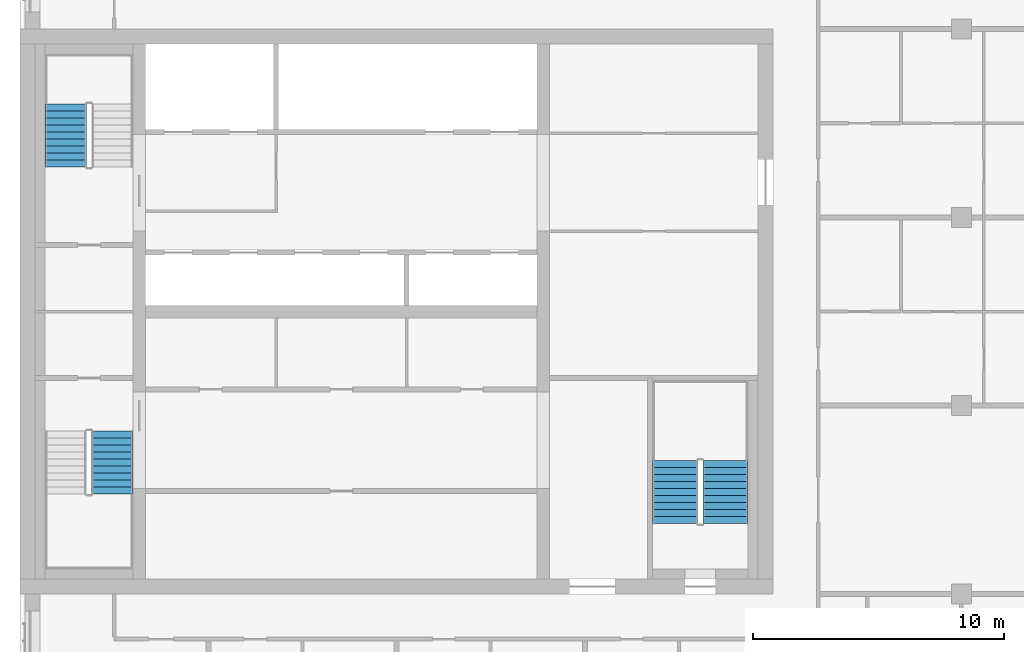
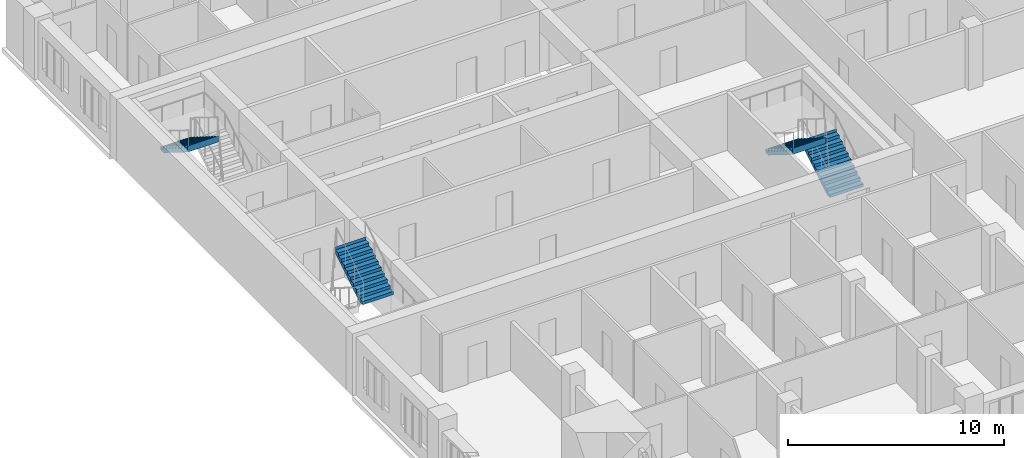
# One storey, part 9 of 11: 4 stair flights, 3 elements without a shape of their own.
"""IFC4 building model written with IfcOpenShell, lengths in metres."""

from ifc_helpers import new_model, si_unit, direction, frame, origin, place, context, subcontext, project, spatial, polyline, outline, extrude, material, type_object, element, aggregate, save


model = new_model("IFC4")

# Units and contexts
model_context = context("Model", 3, precision=1e-05, world=origin(), true_north=direction((0.0, 1.0)))
body_context = subcontext(model_context, "Body", "Model", "MODEL_VIEW")
ifc_project = project(units=[si_unit("LENGTHUNIT", "METRE"), si_unit("AREAUNIT", "SQUARE_METRE"), si_unit("VOLUMEUNIT", "CUBIC_METRE"), si_unit("PLANEANGLEUNIT", "RADIAN"), si_unit("MASSUNIT", "GRAM", prefix="KILO")], contexts=[model_context])

# Site, building, storey
site_placement = place(None, origin())
site = spatial("IfcSite", under=ifc_project, at=site_placement, CompositionType="ELEMENT")
building_placement = place(site_placement, origin())
building = spatial("IfcBuilding", under=site, at=building_placement, Name="Tamorin Gate", CompositionType="ELEMENT")
storey_placement = place(building_placement, frame((0.0, 0.0, 226.699951171875)))
storey = spatial("IfcBuildingStorey", under=building, at=storey_placement, Name="L56", CompositionType="ELEMENT", Elevation=226.699951171875)

# Stair, stair flight
ifc_material = material(Name="Concrete C40/50", Category="concrete")
stair_type = type_object("IfcStairType", Name="Exit stair", PredefinedType="HALF_TURN_STAIR", material=ifc_material)
stair_1_placement = place(storey_placement, origin())
stair_1 = element("IfcStair", 1, at=stair_1_placement, inside=storey, type_object=stair_type, Name="L56 stair ST1", PredefinedType="HALF_TURN_STAIR")
stair_flight_type = type_object("IfcStairFlightType", Name="Exit stair flight", PredefinedType="STRAIGHT", material=ifc_material)
stair_flight_1_placement = place(storey_placement, frame((33.675048828125, 63.97998046875, 1.75), z_axis=(0.0, 0.0, 1.0), x_axis=(0.0, 1.0, 0.0)))
stair_flight_1 = element("IfcStairFlight", 2, at=stair_flight_1_placement, type_object=stair_flight_type, Name="ST1 flight 2", NumberOfRisers=10, NumberOfTreads=9, PredefinedType="STRAIGHT", RiserHeight=0.175, TreadLength=0.28, context=body_context, shape_type="SweptSolid", body=[
    extrude(outline(polyline([(-0.00048828125, 0.0), (-0.00048828125, 0.001708984375), (-0.00048828125, 0.00341796875), (-0.00048828125, 0.005126953125), (-0.00048828125, 0.0068359375), (-0.00048828125, 0.008544921875), (-0.00048828125, 0.010498046875), (-0.00048828125, 0.01220703125), (-0.00048828125, 0.013916015625), (-0.00048828125, 0.015625), (-0.00048828125, 0.017333984375), (-0.00048828125, 0.01904296875), (-0.00048828125, 0.020751953125), (-0.00048828125, 0.0224609375), (-0.00048828125, 0.024169921875), (-0.00048828125, 0.02587890625), (-0.00048828125, 0.02783203125), (-0.00048828125, 0.029541015625), (-0.00048828125, 0.03125), (-0.00048828125, 0.032958984375), (-0.00048828125, 0.03466796875), (-0.00048828125, 0.036376953125), (-0.00048828125, 0.0380859375), (-0.00048828125, 0.039794921875), (-0.00048828125, 0.04150390625), (-0.00048828125, 0.043212890625), (-0.00048828125, 0.045166015625), (-0.00048828125, 0.046875), (-0.00048828125, 0.048583984375), (-0.00048828125, 0.05029296875), (-0.00048828125, 0.052001953125), (-0.00048828125, 0.0537109375), (-0.00048828125, 0.055419921875), (-0.00048828125, 0.05712890625), (-0.00048828125, 0.058837890625), (-0.00048828125, 0.060546875), (-0.00048828125, 0.062255859375), (-0.00048828125, 0.064208984375), (-0.00048828125, 0.06591796875), (-0.00048828125, 0.067626953125), (-0.00048828125, 0.0693359375), (-0.00048828125, 0.071044921875), (-0.00048828125, 0.07275390625), (-0.00048828125, 0.074462890625), (-0.00048828125, 0.076171875), (-0.00048828125, 0.077880859375), (-0.00048828125, 0.07958984375), (-0.00048828125, 0.08154296875), (-0.00048828125, 0.083251953125), (-0.00048828125, 0.0849609375), (-0.00048828125, 0.086669921875), (-0.00048828125, 0.08837890625), (-0.00048828125, 0.090087890625), (-0.00048828125, 0.091796875), (-0.00048828125, 0.093505859375), (-0.00048828125, 0.09521484375), (-0.00048828125, 0.096923828125), (-0.00048828125, 0.098876953125), (-0.00048828125, 0.1005859375), (-0.00048828125, 0.102294921875), (-0.00048828125, 0.10400390625), (-0.00048828125, 0.105712890625), (-0.00048828125, 0.107421875), (-0.00048828125, 0.109130859375), (-0.00048828125, 0.11083984375), (-0.00048828125, 0.112548828125), (-0.00048828125, 0.1142578125), (-0.00048828125, 0.1162109375), (-0.00048828125, 0.117919921875), (-0.00048828125, 0.11962890625), (-0.00048828125, 0.121337890625), (-0.00048828125, 0.123046875), (-0.00048828125, 0.124755859375), (-0.00048828125, 0.12646484375), (-0.00048828125, 0.128173828125), (-0.00048828125, 0.1298828125), (-0.00048828125, 0.131591796875), (-0.00048828125, 0.13330078125), (-0.00048828125, 0.13525390625), (-0.00048828125, 0.136962890625), (-0.00048828125, 0.138671875), (-0.00048828125, 0.140380859375), (-0.00048828125, 0.14208984375), (-0.00048828125, 0.143798828125), (-0.00048828125, 0.1455078125), (-0.00048828125, 0.147216796875), (-0.00048828125, 0.14892578125), (-0.00048828125, 0.150634765625), (-0.00048828125, 0.152587890625), (-0.00048828125, 0.154296875), (-0.00048828125, 0.156005859375), (-0.00048828125, 0.15771484375), (-0.00048828125, 0.159423828125), (-0.00048828125, 0.1611328125), (-0.00048828125, 0.162841796875), (-0.00048828125, 0.16455078125), (-0.00048828125, 0.166259765625), (-0.00048828125, 0.16796875), (-0.00048828125, 0.169921875), (-0.00048828125, 0.171630859375), (-0.00048828125, 0.17333984375), (-0.00048828125, 0.175048828125), (0.280029296875, 0.175048828125), (0.280029296875, 0.35009765625), (0.56005859375, 0.35009765625), (0.56005859375, 0.52490234375), (0.840087890625, 0.52490234375), (0.840087890625, 0.699951171875), (1.1201171875, 0.699951171875), (1.1201171875, 0.875), (1.39990234375, 0.875), (1.39990234375, 1.050048828125), (1.679931640625, 1.050048828125), (1.679931640625, 1.22509765625), (1.9599609375, 1.22509765625), (1.9599609375, 1.39990234375), (2.239990234375, 1.39990234375), (2.239990234375, 1.574951171875), (2.52001953125, 1.574951171875), (2.52001953125, 1.75), (2.5205078125, 1.75), (2.5205078125, 1.74658203125), (2.5205078125, 1.742919921875), (2.5205078125, 1.739501953125), (2.5205078125, 1.736083984375), (2.5205078125, 1.732666015625), (2.5205078125, 1.72900390625), (2.5205078125, 1.7255859375), (2.5205078125, 1.72216796875), (2.5205078125, 1.71875), (2.5205078125, 1.715087890625), (2.5205078125, 1.711669921875), (2.5205078125, 1.708251953125), (2.5205078125, 1.704833984375), (2.5205078125, 1.701171875), (2.5205078125, 1.69775390625), (2.5205078125, 1.6943359375), (2.5205078125, 1.690673828125), (2.5205078125, 1.687255859375), (2.5205078125, 1.683837890625), (2.5205078125, 1.680419921875), (2.5205078125, 1.6767578125), (2.5205078125, 1.67333984375), (2.5205078125, 1.669921875), (2.5205078125, 1.66650390625), (2.5205078125, 1.662841796875), (2.5205078125, 1.659423828125), (2.5205078125, 1.656005859375), (2.5205078125, 1.652587890625), (2.5205078125, 1.64892578125), (2.5205078125, 1.6455078125), (2.5205078125, 1.64208984375), (2.5205078125, 1.638427734375), (2.5205078125, 1.635009765625), (2.5205078125, 1.631591796875), (2.5205078125, 1.628173828125), (2.5205078125, 1.62451171875), (2.5205078125, 1.62109375), (2.5205078125, 1.61767578125), (2.5205078125, 1.6142578125), (2.5205078125, 1.610595703125), (2.5205078125, 1.607177734375), (2.5205078125, 1.603759765625), (2.5205078125, 1.600341796875), (2.5205078125, 1.5966796875), (2.5205078125, 1.59326171875), (2.5205078125, 1.58984375), (2.5205078125, 1.58642578125), (2.5205078125, 1.582763671875), (2.5205078125, 1.579345703125), (2.5205078125, 1.575927734375), (2.5205078125, 1.572265625), (2.5205078125, 1.56884765625), (2.5205078125, 1.5654296875), (2.5205078125, 1.56201171875), (2.5205078125, 1.558349609375), (2.5205078125, 1.554931640625), (2.5205078125, 1.551513671875), (2.5205078125, 1.548095703125), (2.5205078125, 1.54443359375), (2.5205078125, 1.541015625), (2.5205078125, 1.53759765625), (2.5205078125, 1.5341796875), (2.5205078125, 1.530517578125), (2.5205078125, 1.527099609375), (2.5205078125, 1.523681640625), (2.5205078125, 1.52001953125), (2.5205078125, 1.5166015625), (2.5205078125, 1.51318359375), (2.5205078125, 1.509765625), (2.5205078125, 1.506103515625), (2.5205078125, 1.502685546875), (2.5205078125, 1.499267578125), (2.5205078125, 1.495849609375), (2.5205078125, 1.4921875), (2.5205078125, 1.48876953125), (2.5205078125, 1.4853515625), (2.5205078125, 1.48193359375), (2.5205078125, 1.478271484375), (2.5205078125, 1.474853515625), (2.5205078125, 1.471435546875), (2.5205078125, 1.4677734375), (2.5205078125, 1.46435546875), (2.5205078125, 1.4609375), (2.5205078125, 1.45751953125), (2.5205078125, 1.453857421875), (2.5205078125, 1.450439453125), (2.5205078125, 1.447021484375), (2.5205078125, 1.443603515625), (2.5205078125, 1.43994140625), (2.5205078125, 1.4365234375), (2.5205078125, 1.43310546875), (2.5205078125, 1.4296875), (2.5205078125, 1.426025390625), (2.5205078125, 1.422607421875), (2.5205078125, 1.419189453125), (2.5205078125, 1.41552734375), (2.5205078125, 1.412109375), (2.5205078125, 1.40869140625), (2.5205078125, 1.4052734375), (2.5205078125, 1.401611328125), (2.5205078125, 1.398193359375), (2.52001953125, 1.398193359375), (0.28271484375, 0.0), (-0.00048828125, 0.0)])), frame((0.0, 0.824951171875, 0.0), z_axis=(0.0, -1.0, 0.0), x_axis=(1.0, 0.0, 0.0)), (0.0, 0.0, 1.0), 1.64990234375),
])
aggregate(stair_1, [stair_flight_1])

stair_2_placement = place(storey_placement, origin())
stair_2 = element("IfcStair", 3, at=stair_2_placement, inside=storey, type_object=stair_type, Name="L56 stair ST2", PredefinedType="HALF_TURN_STAIR")
stair_flight_2_placement = place(storey_placement, frame((31.824951171875, 79.52001953125, 1.75), z_axis=(0.0, 0.0, 1.0), x_axis=(0.0, -1.0, 0.0)))
stair_flight_2 = element("IfcStairFlight", 4, at=stair_flight_2_placement, type_object=stair_flight_type, Name="ST2 flight 2", NumberOfRisers=10, NumberOfTreads=9, PredefinedType="STRAIGHT", RiserHeight=0.175, TreadLength=0.28, context=body_context, shape_type="SweptSolid", body=[
    extrude(outline(polyline([(-0.00048828125, 0.0), (-0.00048828125, 0.001708984375), (-0.00048828125, 0.00341796875), (-0.00048828125, 0.005126953125), (-0.00048828125, 0.0068359375), (-0.00048828125, 0.008544921875), (-0.00048828125, 0.010498046875), (-0.00048828125, 0.01220703125), (-0.00048828125, 0.013916015625), (-0.00048828125, 0.015625), (-0.00048828125, 0.017333984375), (-0.00048828125, 0.01904296875), (-0.00048828125, 0.020751953125), (-0.00048828125, 0.0224609375), (-0.00048828125, 0.024169921875), (-0.00048828125, 0.02587890625), (-0.00048828125, 0.02783203125), (-0.00048828125, 0.029541015625), (-0.00048828125, 0.03125), (-0.00048828125, 0.032958984375), (-0.00048828125, 0.03466796875), (-0.00048828125, 0.036376953125), (-0.00048828125, 0.0380859375), (-0.00048828125, 0.039794921875), (-0.00048828125, 0.04150390625), (-0.00048828125, 0.043212890625), (-0.00048828125, 0.045166015625), (-0.00048828125, 0.046875), (-0.00048828125, 0.048583984375), (-0.00048828125, 0.05029296875), (-0.00048828125, 0.052001953125), (-0.00048828125, 0.0537109375), (-0.00048828125, 0.055419921875), (-0.00048828125, 0.05712890625), (-0.00048828125, 0.058837890625), (-0.00048828125, 0.060546875), (-0.00048828125, 0.062255859375), (-0.00048828125, 0.064208984375), (-0.00048828125, 0.06591796875), (-0.00048828125, 0.067626953125), (-0.00048828125, 0.0693359375), (-0.00048828125, 0.071044921875), (-0.00048828125, 0.07275390625), (-0.00048828125, 0.074462890625), (-0.00048828125, 0.076171875), (-0.00048828125, 0.077880859375), (-0.00048828125, 0.07958984375), (-0.00048828125, 0.08154296875), (-0.00048828125, 0.083251953125), (-0.00048828125, 0.0849609375), (-0.00048828125, 0.086669921875), (-0.00048828125, 0.08837890625), (-0.00048828125, 0.090087890625), (-0.00048828125, 0.091796875), (-0.00048828125, 0.093505859375), (-0.00048828125, 0.09521484375), (-0.00048828125, 0.096923828125), (-0.00048828125, 0.098876953125), (-0.00048828125, 0.1005859375), (-0.00048828125, 0.102294921875), (-0.00048828125, 0.10400390625), (-0.00048828125, 0.105712890625), (-0.00048828125, 0.107421875), (-0.00048828125, 0.109130859375), (-0.00048828125, 0.11083984375), (-0.00048828125, 0.112548828125), (-0.00048828125, 0.1142578125), (-0.00048828125, 0.1162109375), (-0.00048828125, 0.117919921875), (-0.00048828125, 0.11962890625), (-0.00048828125, 0.121337890625), (-0.00048828125, 0.123046875), (-0.00048828125, 0.124755859375), (-0.00048828125, 0.12646484375), (-0.00048828125, 0.128173828125), (-0.00048828125, 0.1298828125), (-0.00048828125, 0.131591796875), (-0.00048828125, 0.13330078125), (-0.00048828125, 0.13525390625), (-0.00048828125, 0.136962890625), (-0.00048828125, 0.138671875), (-0.00048828125, 0.140380859375), (-0.00048828125, 0.14208984375), (-0.00048828125, 0.143798828125), (-0.00048828125, 0.1455078125), (-0.00048828125, 0.147216796875), (-0.00048828125, 0.14892578125), (-0.00048828125, 0.150634765625), (-0.00048828125, 0.152587890625), (-0.00048828125, 0.154296875), (-0.00048828125, 0.156005859375), (-0.00048828125, 0.15771484375), (-0.00048828125, 0.159423828125), (-0.00048828125, 0.1611328125), (-0.00048828125, 0.162841796875), (-0.00048828125, 0.16455078125), (-0.00048828125, 0.166259765625), (-0.00048828125, 0.16796875), (-0.00048828125, 0.169921875), (-0.00048828125, 0.171630859375), (-0.00048828125, 0.17333984375), (-0.00048828125, 0.175048828125), (0.280029296875, 0.175048828125), (0.280029296875, 0.35009765625), (0.56005859375, 0.35009765625), (0.56005859375, 0.52490234375), (0.840087890625, 0.52490234375), (0.840087890625, 0.699951171875), (1.1201171875, 0.699951171875), (1.1201171875, 0.875), (1.39990234375, 0.875), (1.39990234375, 1.050048828125), (1.679931640625, 1.050048828125), (1.679931640625, 1.22509765625), (1.9599609375, 1.22509765625), (1.9599609375, 1.39990234375), (2.239990234375, 1.39990234375), (2.239990234375, 1.574951171875), (2.52001953125, 1.574951171875), (2.52001953125, 1.75), (2.5205078125, 1.75), (2.5205078125, 1.74658203125), (2.5205078125, 1.742919921875), (2.5205078125, 1.739501953125), (2.5205078125, 1.736083984375), (2.5205078125, 1.732666015625), (2.5205078125, 1.72900390625), (2.5205078125, 1.7255859375), (2.5205078125, 1.72216796875), (2.5205078125, 1.71875), (2.5205078125, 1.715087890625), (2.5205078125, 1.711669921875), (2.5205078125, 1.708251953125), (2.5205078125, 1.704833984375), (2.5205078125, 1.701171875), (2.5205078125, 1.69775390625), (2.5205078125, 1.6943359375), (2.5205078125, 1.690673828125), (2.5205078125, 1.687255859375), (2.5205078125, 1.683837890625), (2.5205078125, 1.680419921875), (2.5205078125, 1.6767578125), (2.5205078125, 1.67333984375), (2.5205078125, 1.669921875), (2.5205078125, 1.66650390625), (2.5205078125, 1.662841796875), (2.5205078125, 1.659423828125), (2.5205078125, 1.656005859375), (2.5205078125, 1.652587890625), (2.5205078125, 1.64892578125), (2.5205078125, 1.6455078125), (2.5205078125, 1.64208984375), (2.5205078125, 1.638427734375), (2.5205078125, 1.635009765625), (2.5205078125, 1.631591796875), (2.5205078125, 1.628173828125), (2.5205078125, 1.62451171875), (2.5205078125, 1.62109375), (2.5205078125, 1.61767578125), (2.5205078125, 1.6142578125), (2.5205078125, 1.610595703125), (2.5205078125, 1.607177734375), (2.5205078125, 1.603759765625), (2.5205078125, 1.600341796875), (2.5205078125, 1.5966796875), (2.5205078125, 1.59326171875), (2.5205078125, 1.58984375), (2.5205078125, 1.58642578125), (2.5205078125, 1.582763671875), (2.5205078125, 1.579345703125), (2.5205078125, 1.575927734375), (2.5205078125, 1.572265625), (2.5205078125, 1.56884765625), (2.5205078125, 1.5654296875), (2.5205078125, 1.56201171875), (2.5205078125, 1.558349609375), (2.5205078125, 1.554931640625), (2.5205078125, 1.551513671875), (2.5205078125, 1.548095703125), (2.5205078125, 1.54443359375), (2.5205078125, 1.541015625), (2.5205078125, 1.53759765625), (2.5205078125, 1.5341796875), (2.5205078125, 1.530517578125), (2.5205078125, 1.527099609375), (2.5205078125, 1.523681640625), (2.5205078125, 1.52001953125), (2.5205078125, 1.5166015625), (2.5205078125, 1.51318359375), (2.5205078125, 1.509765625), (2.5205078125, 1.506103515625), (2.5205078125, 1.502685546875), (2.5205078125, 1.499267578125), (2.5205078125, 1.495849609375), (2.5205078125, 1.4921875), (2.5205078125, 1.48876953125), (2.5205078125, 1.4853515625), (2.5205078125, 1.48193359375), (2.5205078125, 1.478271484375), (2.5205078125, 1.474853515625), (2.5205078125, 1.471435546875), (2.5205078125, 1.4677734375), (2.5205078125, 1.46435546875), (2.5205078125, 1.4609375), (2.5205078125, 1.45751953125), (2.5205078125, 1.453857421875), (2.5205078125, 1.450439453125), (2.5205078125, 1.447021484375), (2.5205078125, 1.443603515625), (2.5205078125, 1.43994140625), (2.5205078125, 1.4365234375), (2.5205078125, 1.43310546875), (2.5205078125, 1.4296875), (2.5205078125, 1.426025390625), (2.5205078125, 1.422607421875), (2.5205078125, 1.419189453125), (2.5205078125, 1.41552734375), (2.5205078125, 1.412109375), (2.5205078125, 1.40869140625), (2.5205078125, 1.4052734375), (2.5205078125, 1.401611328125), (2.5205078125, 1.398193359375), (2.52001953125, 1.398193359375), (0.28271484375, 0.0), (-0.00048828125, 0.0)])), frame((0.0, 0.824951171875, 0.0), z_axis=(0.0, -1.0, 0.0), x_axis=(1.0, 0.0, 0.0)), (0.0, 0.0, 1.0), 1.64990234375),
])
aggregate(stair_2, [stair_flight_2])

# Stair, stair flights
stair_3_placement = place(storey_placement, origin())
stair_3 = element("IfcStair", 5, at=stair_3_placement, inside=storey, type_object=stair_type, Name="L56 stair ST3", PredefinedType="HALF_TURN_STAIR")
stair_flight_3_placement = place(storey_placement, frame((58.10009765625, 62.800048828125, 0.0), z_axis=(0.0, 0.0, 1.0), x_axis=(0.0, 1.0, 0.0)))
stair_flight_3 = element("IfcStairFlight", 6, at=stair_flight_3_placement, type_object=stair_flight_type, Name="ST3 flight 1", NumberOfRisers=10, NumberOfTreads=9, PredefinedType="STRAIGHT", RiserHeight=0.175, TreadLength=0.28, context=body_context, shape_type="SweptSolid", body=[
    extrude(outline(polyline([(-0.00048828125, 0.0), (-0.00048828125, 0.001708984375), (-0.00048828125, 0.00341796875), (-0.00048828125, 0.005126953125), (-0.00048828125, 0.0068359375), (-0.00048828125, 0.008544921875), (-0.00048828125, 0.010498046875), (-0.00048828125, 0.01220703125), (-0.00048828125, 0.013916015625), (-0.00048828125, 0.015625), (-0.00048828125, 0.017333984375), (-0.00048828125, 0.01904296875), (-0.00048828125, 0.020751953125), (-0.00048828125, 0.0224609375), (-0.00048828125, 0.024169921875), (-0.00048828125, 0.02587890625), (-0.00048828125, 0.02783203125), (-0.00048828125, 0.029541015625), (-0.00048828125, 0.03125), (-0.00048828125, 0.032958984375), (-0.00048828125, 0.03466796875), (-0.00048828125, 0.036376953125), (-0.00048828125, 0.0380859375), (-0.00048828125, 0.039794921875), (-0.00048828125, 0.04150390625), (-0.00048828125, 0.043212890625), (-0.00048828125, 0.045166015625), (-0.00048828125, 0.046875), (-0.00048828125, 0.048583984375), (-0.00048828125, 0.05029296875), (-0.00048828125, 0.052001953125), (-0.00048828125, 0.0537109375), (-0.00048828125, 0.055419921875), (-0.00048828125, 0.05712890625), (-0.00048828125, 0.058837890625), (-0.00048828125, 0.060546875), (-0.00048828125, 0.062255859375), (-0.00048828125, 0.064208984375), (-0.00048828125, 0.06591796875), (-0.00048828125, 0.067626953125), (-0.00048828125, 0.0693359375), (-0.00048828125, 0.071044921875), (-0.00048828125, 0.07275390625), (-0.00048828125, 0.074462890625), (-0.00048828125, 0.076171875), (-0.00048828125, 0.077880859375), (-0.00048828125, 0.07958984375), (-0.00048828125, 0.08154296875), (-0.00048828125, 0.083251953125), (-0.00048828125, 0.0849609375), (-0.00048828125, 0.086669921875), (-0.00048828125, 0.08837890625), (-0.00048828125, 0.090087890625), (-0.00048828125, 0.091796875), (-0.00048828125, 0.093505859375), (-0.00048828125, 0.09521484375), (-0.00048828125, 0.096923828125), (-0.00048828125, 0.098876953125), (-0.00048828125, 0.1005859375), (-0.00048828125, 0.102294921875), (-0.00048828125, 0.10400390625), (-0.00048828125, 0.105712890625), (-0.00048828125, 0.107421875), (-0.00048828125, 0.109130859375), (-0.00048828125, 0.11083984375), (-0.00048828125, 0.112548828125), (-0.00048828125, 0.1142578125), (-0.00048828125, 0.1162109375), (-0.00048828125, 0.117919921875), (-0.00048828125, 0.11962890625), (-0.00048828125, 0.121337890625), (-0.00048828125, 0.123046875), (-0.00048828125, 0.124755859375), (-0.00048828125, 0.12646484375), (-0.00048828125, 0.128173828125), (-0.00048828125, 0.1298828125), (-0.00048828125, 0.131591796875), (-0.00048828125, 0.13330078125), (-0.00048828125, 0.13525390625), (-0.00048828125, 0.136962890625), (-0.00048828125, 0.138671875), (-0.00048828125, 0.140380859375), (-0.00048828125, 0.14208984375), (-0.00048828125, 0.143798828125), (-0.00048828125, 0.1455078125), (-0.00048828125, 0.147216796875), (-0.00048828125, 0.14892578125), (-0.00048828125, 0.150634765625), (-0.00048828125, 0.152587890625), (-0.00048828125, 0.154296875), (-0.00048828125, 0.156005859375), (-0.00048828125, 0.15771484375), (-0.00048828125, 0.159423828125), (-0.00048828125, 0.1611328125), (-0.00048828125, 0.162841796875), (-0.00048828125, 0.16455078125), (-0.00048828125, 0.166259765625), (-0.00048828125, 0.16796875), (-0.00048828125, 0.169921875), (-0.00048828125, 0.171630859375), (-0.00048828125, 0.17333984375), (-0.00048828125, 0.175048828125), (0.280029296875, 0.175048828125), (0.280029296875, 0.35009765625), (0.56005859375, 0.35009765625), (0.56005859375, 0.52490234375), (0.840087890625, 0.52490234375), (0.840087890625, 0.699951171875), (1.1201171875, 0.699951171875), (1.1201171875, 0.875), (1.39990234375, 0.875), (1.39990234375, 1.050048828125), (1.679931640625, 1.050048828125), (1.679931640625, 1.22509765625), (1.9599609375, 1.22509765625), (1.9599609375, 1.39990234375), (2.239990234375, 1.39990234375), (2.239990234375, 1.574951171875), (2.52001953125, 1.574951171875), (2.52001953125, 1.75), (2.5205078125, 1.75), (2.5205078125, 1.74658203125), (2.5205078125, 1.742919921875), (2.5205078125, 1.739501953125), (2.5205078125, 1.736083984375), (2.5205078125, 1.732666015625), (2.5205078125, 1.72900390625), (2.5205078125, 1.7255859375), (2.5205078125, 1.72216796875), (2.5205078125, 1.71875), (2.5205078125, 1.715087890625), (2.5205078125, 1.711669921875), (2.5205078125, 1.708251953125), (2.5205078125, 1.704833984375), (2.5205078125, 1.701171875), (2.5205078125, 1.69775390625), (2.5205078125, 1.6943359375), (2.5205078125, 1.690673828125), (2.5205078125, 1.687255859375), (2.5205078125, 1.683837890625), (2.5205078125, 1.680419921875), (2.5205078125, 1.6767578125), (2.5205078125, 1.67333984375), (2.5205078125, 1.669921875), (2.5205078125, 1.66650390625), (2.5205078125, 1.662841796875), (2.5205078125, 1.659423828125), (2.5205078125, 1.656005859375), (2.5205078125, 1.652587890625), (2.5205078125, 1.64892578125), (2.5205078125, 1.6455078125), (2.5205078125, 1.64208984375), (2.5205078125, 1.638427734375), (2.5205078125, 1.635009765625), (2.5205078125, 1.631591796875), (2.5205078125, 1.628173828125), (2.5205078125, 1.62451171875), (2.5205078125, 1.62109375), (2.5205078125, 1.61767578125), (2.5205078125, 1.6142578125), (2.5205078125, 1.610595703125), (2.5205078125, 1.607177734375), (2.5205078125, 1.603759765625), (2.5205078125, 1.600341796875), (2.5205078125, 1.5966796875), (2.5205078125, 1.59326171875), (2.5205078125, 1.58984375), (2.5205078125, 1.58642578125), (2.5205078125, 1.582763671875), (2.5205078125, 1.579345703125), (2.5205078125, 1.575927734375), (2.5205078125, 1.572265625), (2.5205078125, 1.56884765625), (2.5205078125, 1.5654296875), (2.5205078125, 1.56201171875), (2.5205078125, 1.558349609375), (2.5205078125, 1.554931640625), (2.5205078125, 1.551513671875), (2.5205078125, 1.548095703125), (2.5205078125, 1.54443359375), (2.5205078125, 1.541015625), (2.5205078125, 1.53759765625), (2.5205078125, 1.5341796875), (2.5205078125, 1.530517578125), (2.5205078125, 1.527099609375), (2.5205078125, 1.523681640625), (2.5205078125, 1.52001953125), (2.5205078125, 1.5166015625), (2.5205078125, 1.51318359375), (2.5205078125, 1.509765625), (2.5205078125, 1.506103515625), (2.5205078125, 1.502685546875), (2.5205078125, 1.499267578125), (2.5205078125, 1.495849609375), (2.5205078125, 1.4921875), (2.5205078125, 1.48876953125), (2.5205078125, 1.4853515625), (2.5205078125, 1.48193359375), (2.5205078125, 1.478271484375), (2.5205078125, 1.474853515625), (2.5205078125, 1.471435546875), (2.5205078125, 1.4677734375), (2.5205078125, 1.46435546875), (2.5205078125, 1.4609375), (2.5205078125, 1.45751953125), (2.5205078125, 1.453857421875), (2.5205078125, 1.450439453125), (2.5205078125, 1.447021484375), (2.5205078125, 1.443603515625), (2.5205078125, 1.43994140625), (2.5205078125, 1.4365234375), (2.5205078125, 1.43310546875), (2.5205078125, 1.4296875), (2.5205078125, 1.426025390625), (2.5205078125, 1.422607421875), (2.5205078125, 1.419189453125), (2.5205078125, 1.41552734375), (2.5205078125, 1.412109375), (2.5205078125, 1.40869140625), (2.5205078125, 1.4052734375), (2.5205078125, 1.401611328125), (2.5205078125, 1.398193359375), (2.52001953125, 1.398193359375), (0.28271484375, 0.0), (-0.00048828125, 0.0)])), frame((0.0, 0.89990234375, 0.0), z_axis=(0.0, -1.0, 0.0), x_axis=(1.0, 0.0, 0.0)), (0.0, 0.0, 1.0), 1.800048828125),
])
stair_flight_4_placement = place(storey_placement, frame((56.10009765625, 65.320068359375, 1.75), z_axis=(0.0, 0.0, 1.0), x_axis=(0.0, -1.0, 0.0)))
stair_flight_4 = element("IfcStairFlight", 7, at=stair_flight_4_placement, type_object=stair_flight_type, Name="ST3 flight 2", NumberOfRisers=10, NumberOfTreads=9, PredefinedType="STRAIGHT", RiserHeight=0.175, TreadLength=0.28, context=body_context, shape_type="SweptSolid", body=[
    extrude(outline(polyline([(-0.00048828125, 0.0), (-0.00048828125, 0.001708984375), (-0.00048828125, 0.00341796875), (-0.00048828125, 0.005126953125), (-0.00048828125, 0.0068359375), (-0.00048828125, 0.008544921875), (-0.00048828125, 0.010498046875), (-0.00048828125, 0.01220703125), (-0.00048828125, 0.013916015625), (-0.00048828125, 0.015625), (-0.00048828125, 0.017333984375), (-0.00048828125, 0.01904296875), (-0.00048828125, 0.020751953125), (-0.00048828125, 0.0224609375), (-0.00048828125, 0.024169921875), (-0.00048828125, 0.02587890625), (-0.00048828125, 0.02783203125), (-0.00048828125, 0.029541015625), (-0.00048828125, 0.03125), (-0.00048828125, 0.032958984375), (-0.00048828125, 0.03466796875), (-0.00048828125, 0.036376953125), (-0.00048828125, 0.0380859375), (-0.00048828125, 0.039794921875), (-0.00048828125, 0.04150390625), (-0.00048828125, 0.043212890625), (-0.00048828125, 0.045166015625), (-0.00048828125, 0.046875), (-0.00048828125, 0.048583984375), (-0.00048828125, 0.05029296875), (-0.00048828125, 0.052001953125), (-0.00048828125, 0.0537109375), (-0.00048828125, 0.055419921875), (-0.00048828125, 0.05712890625), (-0.00048828125, 0.058837890625), (-0.00048828125, 0.060546875), (-0.00048828125, 0.062255859375), (-0.00048828125, 0.064208984375), (-0.00048828125, 0.06591796875), (-0.00048828125, 0.067626953125), (-0.00048828125, 0.0693359375), (-0.00048828125, 0.071044921875), (-0.00048828125, 0.07275390625), (-0.00048828125, 0.074462890625), (-0.00048828125, 0.076171875), (-0.00048828125, 0.077880859375), (-0.00048828125, 0.07958984375), (-0.00048828125, 0.08154296875), (-0.00048828125, 0.083251953125), (-0.00048828125, 0.0849609375), (-0.00048828125, 0.086669921875), (-0.00048828125, 0.08837890625), (-0.00048828125, 0.090087890625), (-0.00048828125, 0.091796875), (-0.00048828125, 0.093505859375), (-0.00048828125, 0.09521484375), (-0.00048828125, 0.096923828125), (-0.00048828125, 0.098876953125), (-0.00048828125, 0.1005859375), (-0.00048828125, 0.102294921875), (-0.00048828125, 0.10400390625), (-0.00048828125, 0.105712890625), (-0.00048828125, 0.107421875), (-0.00048828125, 0.109130859375), (-0.00048828125, 0.11083984375), (-0.00048828125, 0.112548828125), (-0.00048828125, 0.1142578125), (-0.00048828125, 0.1162109375), (-0.00048828125, 0.117919921875), (-0.00048828125, 0.11962890625), (-0.00048828125, 0.121337890625), (-0.00048828125, 0.123046875), (-0.00048828125, 0.124755859375), (-0.00048828125, 0.12646484375), (-0.00048828125, 0.128173828125), (-0.00048828125, 0.1298828125), (-0.00048828125, 0.131591796875), (-0.00048828125, 0.13330078125), (-0.00048828125, 0.13525390625), (-0.00048828125, 0.136962890625), (-0.00048828125, 0.138671875), (-0.00048828125, 0.140380859375), (-0.00048828125, 0.14208984375), (-0.00048828125, 0.143798828125), (-0.00048828125, 0.1455078125), (-0.00048828125, 0.147216796875), (-0.00048828125, 0.14892578125), (-0.00048828125, 0.150634765625), (-0.00048828125, 0.152587890625), (-0.00048828125, 0.154296875), (-0.00048828125, 0.156005859375), (-0.00048828125, 0.15771484375), (-0.00048828125, 0.159423828125), (-0.00048828125, 0.1611328125), (-0.00048828125, 0.162841796875), (-0.00048828125, 0.16455078125), (-0.00048828125, 0.166259765625), (-0.00048828125, 0.16796875), (-0.00048828125, 0.169921875), (-0.00048828125, 0.171630859375), (-0.00048828125, 0.17333984375), (-0.00048828125, 0.175048828125), (0.280029296875, 0.175048828125), (0.280029296875, 0.35009765625), (0.56005859375, 0.35009765625), (0.56005859375, 0.52490234375), (0.840087890625, 0.52490234375), (0.840087890625, 0.699951171875), (1.1201171875, 0.699951171875), (1.1201171875, 0.875), (1.39990234375, 0.875), (1.39990234375, 1.050048828125), (1.679931640625, 1.050048828125), (1.679931640625, 1.22509765625), (1.9599609375, 1.22509765625), (1.9599609375, 1.39990234375), (2.239990234375, 1.39990234375), (2.239990234375, 1.574951171875), (2.52001953125, 1.574951171875), (2.52001953125, 1.75), (2.5205078125, 1.75), (2.5205078125, 1.74658203125), (2.5205078125, 1.742919921875), (2.5205078125, 1.739501953125), (2.5205078125, 1.736083984375), (2.5205078125, 1.732666015625), (2.5205078125, 1.72900390625), (2.5205078125, 1.7255859375), (2.5205078125, 1.72216796875), (2.5205078125, 1.71875), (2.5205078125, 1.715087890625), (2.5205078125, 1.711669921875), (2.5205078125, 1.708251953125), (2.5205078125, 1.704833984375), (2.5205078125, 1.701171875), (2.5205078125, 1.69775390625), (2.5205078125, 1.6943359375), (2.5205078125, 1.690673828125), (2.5205078125, 1.687255859375), (2.5205078125, 1.683837890625), (2.5205078125, 1.680419921875), (2.5205078125, 1.6767578125), (2.5205078125, 1.67333984375), (2.5205078125, 1.669921875), (2.5205078125, 1.66650390625), (2.5205078125, 1.662841796875), (2.5205078125, 1.659423828125), (2.5205078125, 1.656005859375), (2.5205078125, 1.652587890625), (2.5205078125, 1.64892578125), (2.5205078125, 1.6455078125), (2.5205078125, 1.64208984375), (2.5205078125, 1.638427734375), (2.5205078125, 1.635009765625), (2.5205078125, 1.631591796875), (2.5205078125, 1.628173828125), (2.5205078125, 1.62451171875), (2.5205078125, 1.62109375), (2.5205078125, 1.61767578125), (2.5205078125, 1.6142578125), (2.5205078125, 1.610595703125), (2.5205078125, 1.607177734375), (2.5205078125, 1.603759765625), (2.5205078125, 1.600341796875), (2.5205078125, 1.5966796875), (2.5205078125, 1.59326171875), (2.5205078125, 1.58984375), (2.5205078125, 1.58642578125), (2.5205078125, 1.582763671875), (2.5205078125, 1.579345703125), (2.5205078125, 1.575927734375), (2.5205078125, 1.572265625), (2.5205078125, 1.56884765625), (2.5205078125, 1.5654296875), (2.5205078125, 1.56201171875), (2.5205078125, 1.558349609375), (2.5205078125, 1.554931640625), (2.5205078125, 1.551513671875), (2.5205078125, 1.548095703125), (2.5205078125, 1.54443359375), (2.5205078125, 1.541015625), (2.5205078125, 1.53759765625), (2.5205078125, 1.5341796875), (2.5205078125, 1.530517578125), (2.5205078125, 1.527099609375), (2.5205078125, 1.523681640625), (2.5205078125, 1.52001953125), (2.5205078125, 1.5166015625), (2.5205078125, 1.51318359375), (2.5205078125, 1.509765625), (2.5205078125, 1.506103515625), (2.5205078125, 1.502685546875), (2.5205078125, 1.499267578125), (2.5205078125, 1.495849609375), (2.5205078125, 1.4921875), (2.5205078125, 1.48876953125), (2.5205078125, 1.4853515625), (2.5205078125, 1.48193359375), (2.5205078125, 1.478271484375), (2.5205078125, 1.474853515625), (2.5205078125, 1.471435546875), (2.5205078125, 1.4677734375), (2.5205078125, 1.46435546875), (2.5205078125, 1.4609375), (2.5205078125, 1.45751953125), (2.5205078125, 1.453857421875), (2.5205078125, 1.450439453125), (2.5205078125, 1.447021484375), (2.5205078125, 1.443603515625), (2.5205078125, 1.43994140625), (2.5205078125, 1.4365234375), (2.5205078125, 1.43310546875), (2.5205078125, 1.4296875), (2.5205078125, 1.426025390625), (2.5205078125, 1.422607421875), (2.5205078125, 1.419189453125), (2.5205078125, 1.41552734375), (2.5205078125, 1.412109375), (2.5205078125, 1.40869140625), (2.5205078125, 1.4052734375), (2.5205078125, 1.401611328125), (2.5205078125, 1.398193359375), (2.52001953125, 1.398193359375), (0.28271484375, 0.0), (-0.00048828125, 0.0)])), frame((0.0, 0.89990234375, 0.0), z_axis=(0.0, -1.0, 0.0), x_axis=(1.0, 0.0, 0.0)), (0.0, 0.0, 1.0), 1.800048828125),
])
aggregate(stair_3, [stair_flight_3, stair_flight_4])

save(model, "model.ifc")
